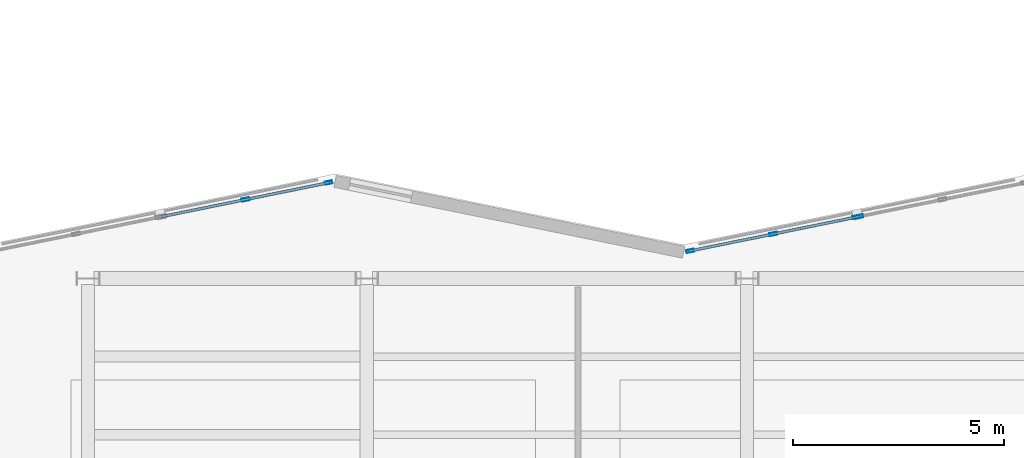
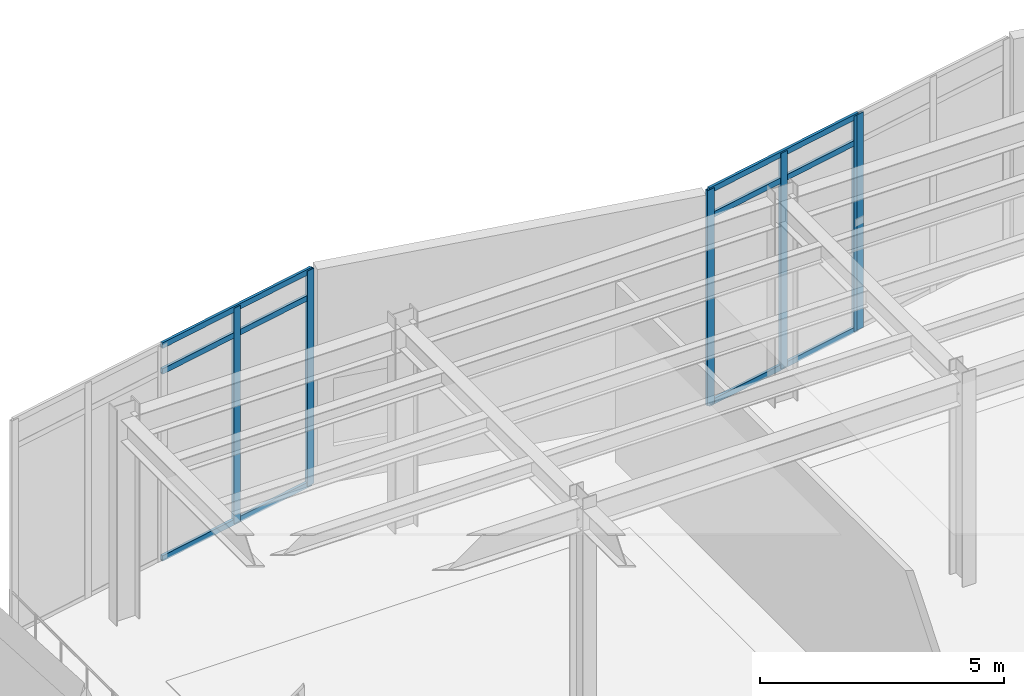
# One storey, part 60 of 98: 12 members, 3 elements without a shape of their own.
"""IFC4 building model written with IfcOpenShell, lengths in metres."""

from ifc_helpers import new_model, si_unit, direction, frame, origin, origin_2d, place, context, subcontext, project, spatial, hollow_rectangle, extrude, material, layer, layer_set, material_profile, profile_set, type_object, element, aggregate, save


model = new_model("IFC4")

# Units and contexts
model_context = context("Model", 3, precision=1e-05, world=origin(), true_north=direction((0.0, 1.0)))
body_context = subcontext(model_context, "Body", "Model", "MODEL_VIEW")
ifc_project = project(units=[si_unit("LENGTHUNIT", "METRE"), si_unit("AREAUNIT", "SQUARE_METRE"), si_unit("VOLUMEUNIT", "CUBIC_METRE"), si_unit("PLANEANGLEUNIT", "RADIAN"), si_unit("MASSUNIT", "GRAM", prefix="KILO")], contexts=[model_context])

# Site, building, storey
site_placement = place(None, origin())
site = spatial("IfcSite", under=ifc_project, at=site_placement, CompositionType="ELEMENT")
building_placement = place(site_placement, origin())
building = spatial("IfcBuilding", under=site, at=building_placement, Name="Sollismere Congress Hotel", CompositionType="ELEMENT")
storey_placement = place(building_placement, frame((0.0, 0.0, 5.39990234375)))
storey = spatial("IfcBuildingStorey", under=building, at=storey_placement, Name="L01", CompositionType="ELEMENT", Elevation=5.39990234375)

# Curtain wall, members
ifc_material_1 = material(Name="Anodized Bronze Curtain Wall & Low-E Triple Glazing", Category="glass")
ifc_layer = layer(ifc_material_1, 0.199951171875, Name="Anodized Bronze Curtain Wall & Low-E Triple Glazing")
ifc_layer_set = layer_set([ifc_layer], Name="Anodized Bronze Curtain Wall & Low-E Triple Glazing")
curtain_wall_type = type_object("IfcCurtainWallType", Name="CW-GLZ36", PredefinedType="USERDEFINED", material=ifc_layer_set)
curtain_wall_1_placement = place(storey_placement, origin())
curtain_wall_1 = element("IfcCurtainWall", 1, at=curtain_wall_1_placement, inside=storey, type_object=curtain_wall_type, Name="Unitised curtain wall CW-L01-082", ObjectType="UNITISED CURTAIN WALL", PredefinedType="USERDEFINED")
ifc_material_2 = material(Name="Anodized Aluminum 6063-T6", Category="aluminium")
ifc_material_profile_1 = material_profile(ifc_material_2, hollow_rectangle(XDim=0.074951171875, YDim=0.179931640625, WallThickness=0.0048828125, at=origin_2d()), Name="ALU180X75X5")
ifc_profile_set_1 = profile_set([ifc_material_profile_1], Name="Anodized Aluminum 6063-T6")
member_type_1 = type_object("IfcMemberType", Name="ML-CW180", PredefinedType="MULLION", material=ifc_profile_set_1)
member_1_placement = place(storey_placement, frame((64.128662109375, 104.266845703125, 0.0), z_axis=(0.0, 0.0, 1.0), x_axis=(-0.199367934417, 0.979924704621, 0.0)))
member_1 = element("IfcMember", 2, at=member_1_placement, type_object=member_type_1, Name="CWL-CW-L01-082-ML02", PredefinedType="MULLION", context=body_context, shape_type="SweptSolid", body=[
    extrude(hollow_rectangle(XDim=0.074951171875, YDim=0.179931640625, WallThickness=0.0048828125, at=origin_2d()), origin(), (0.0, 0.0, 1.0), 5.400146484375),
])
member_2_placement = place(storey_placement, frame((66.09521484375, 104.6669921875, 0.0), z_axis=(0.0, 0.0, 1.0), x_axis=(-0.199367934417, 0.979924704621, 0.0)))
member_2 = element("IfcMember", 3, at=member_2_placement, type_object=member_type_1, Name="CWL-CW-L01-082-ML03", PredefinedType="MULLION", context=body_context, shape_type="SweptSolid", body=[
    extrude(hollow_rectangle(XDim=0.074951171875, YDim=0.179931640625, WallThickness=0.0048828125, at=origin_2d()), origin(), (0.0, 0.0, 1.0), 5.400146484375),
])

curtain_wall_2_placement = place(storey_placement, origin())
curtain_wall_2 = element("IfcCurtainWall", 4, at=curtain_wall_2_placement, inside=storey, type_object=curtain_wall_type, Name="Unitised curtain wall CW-L01-083", ObjectType="UNITISED CURTAIN WALL", PredefinedType="USERDEFINED")
member_3_placement = place(storey_placement, frame((74.65478515625, 103.051513671875, 0.0), z_axis=(0.0, 0.0, 1.0), x_axis=(-0.199367934417, 0.979924704621, 0.0)))
member_3 = element("IfcMember", 5, at=member_3_placement, type_object=member_type_1, Name="CWL-CW-L01-083-ML01", PredefinedType="MULLION", context=body_context, shape_type="SweptSolid", body=[
    extrude(hollow_rectangle(XDim=0.074951171875, YDim=0.179931640625, WallThickness=0.0048828125, at=origin_2d()), origin(), (0.0, 0.0, 1.0), 5.400146484375),
])
member_4_placement = place(storey_placement, frame((76.621337890625, 103.45166015625, 0.0), z_axis=(0.0, 0.0, 1.0), x_axis=(-0.199367934417, 0.979924704621, 0.0)))
member_4 = element("IfcMember", 6, at=member_4_placement, type_object=member_type_1, Name="CWL-CW-L01-083-ML02", PredefinedType="MULLION", context=body_context, shape_type="SweptSolid", body=[
    extrude(hollow_rectangle(XDim=0.074951171875, YDim=0.179931640625, WallThickness=0.0048828125, at=origin_2d()), origin(), (0.0, 0.0, 1.0), 5.400146484375),
])
member_5_placement = place(storey_placement, frame((78.587890625, 103.851806640625, 0.0), z_axis=(0.0, 0.0, 1.0), x_axis=(-0.199367934417, 0.979924704621, 0.0)))
member_5 = element("IfcMember", 7, at=member_5_placement, type_object=member_type_1, Name="CWL-CW-L01-083-ML03", PredefinedType="MULLION", context=body_context, shape_type="SweptSolid", body=[
    extrude(hollow_rectangle(XDim=0.074951171875, YDim=0.179931640625, WallThickness=0.0048828125, at=origin_2d()), origin(), (0.0, 0.0, 1.0), 5.400146484375),
])

# Curtain wall, member
curtain_wall_3_placement = place(storey_placement, origin())
curtain_wall_3 = element("IfcCurtainWall", 8, at=curtain_wall_3_placement, inside=storey, type_object=curtain_wall_type, Name="Unitised curtain wall CW-L01-084", ObjectType="UNITISED CURTAIN WALL", PredefinedType="USERDEFINED")
member_6_placement = place(storey_placement, frame((78.662109375, 103.86669921875, 0.0), z_axis=(0.0, 0.0, 1.0), x_axis=(-0.199367934417, 0.979924704621, 0.0)))
member_6 = element("IfcMember", 9, at=member_6_placement, type_object=member_type_1, Name="CWL-CW-L01-084-ML01", PredefinedType="MULLION", context=body_context, shape_type="SweptSolid", body=[
    extrude(hollow_rectangle(XDim=0.074951171875, YDim=0.179931640625, WallThickness=0.0048828125, at=origin_2d()), origin(), (0.0, 0.0, 1.0), 5.400146484375),
])
aggregate(curtain_wall_3, [member_6])

# Member
ifc_material_profile_2 = material_profile(ifc_material_2, hollow_rectangle(XDim=0.06494140625, YDim=0.139892578125, WallThickness=0.00390625, at=origin_2d()), Name="ALU140X65X4")
ifc_profile_set_2 = profile_set([ifc_material_profile_2], Name="Anodized Aluminum 6063-T6")
member_type_2 = type_object("IfcMemberType", Name="TR-CW150", PredefinedType="MEMBER", material=ifc_profile_set_2)
member_7_placement = place(storey_placement, frame((62.125, 103.859375, 0.03271484375), z_axis=(0.979930139944, 0.199341217087, 0.0), x_axis=(-0.199341217087, 0.979930139944, 0.0)))
member_7 = element("IfcMember", 10, at=member_7_placement, type_object=member_type_2, Name="CWL-CW-L01-082-TR1", PredefinedType="MEMBER", context=body_context, shape_type="SweptSolid", body=[
    extrude(hollow_rectangle(XDim=0.06494140625, YDim=0.139892578125, WallThickness=0.00390625, at=origin_2d()), origin(), (0.0, 0.0, 1.0), 4.08935546875),
])

member_8_placement = place(storey_placement, frame((62.125, 103.859375, 4.72021484375), z_axis=(0.979930139944, 0.199341217087, 0.0), x_axis=(-0.199341217087, 0.979930139944, 0.0)))
member_8 = element("IfcMember", 11, at=member_8_placement, type_object=member_type_2, Name="CWL-CW-L01-082-TR2", PredefinedType="MEMBER", context=body_context, shape_type="SweptSolid", body=[
    extrude(hollow_rectangle(XDim=0.06494140625, YDim=0.139892578125, WallThickness=0.00390625, at=origin_2d()), origin(), (0.0, 0.0, 1.0), 4.08935546875),
])

member_9_placement = place(storey_placement, frame((62.125, 103.859375, 5.36767578125), z_axis=(0.979930139944, 0.199341217087, 0.0), x_axis=(-0.199341217087, 0.979930139944, 0.0)))
member_9 = element("IfcMember", 12, at=member_9_placement, type_object=member_type_2, Name="CWL-CW-L01-082-TR3", PredefinedType="MEMBER", context=body_context, shape_type="SweptSolid", body=[
    extrude(hollow_rectangle(XDim=0.06494140625, YDim=0.139892578125, WallThickness=0.00390625, at=origin_2d()), origin(), (0.0, 0.0, 1.0), 4.08935546875),
])

aggregate(curtain_wall_1, [member_1, member_2, member_7, member_8, member_9])

member_10_placement = place(storey_placement, frame((74.61767578125, 103.0439453125, 0.03271484375), z_axis=(0.979918476409, 0.199398544609, 0.0), x_axis=(-0.199398544609, 0.979918476409, 0.0)))
member_10 = element("IfcMember", 13, at=member_10_placement, type_object=member_type_2, Name="CWL-CW-L01-083-TR1", PredefinedType="MEMBER", context=body_context, shape_type="SweptSolid", body=[
    extrude(hollow_rectangle(XDim=0.06494140625, YDim=0.139892578125, WallThickness=0.00390625, at=origin_2d()), origin(), (0.0, 0.0, 1.0), 4.08935546875),
])

member_11_placement = place(storey_placement, frame((74.61767578125, 103.0439453125, 4.72021484375), z_axis=(0.979918476409, 0.199398544609, 0.0), x_axis=(-0.199398544609, 0.979918476409, 0.0)))
member_11 = element("IfcMember", 14, at=member_11_placement, type_object=member_type_2, Name="CWL-CW-L01-083-TR2", PredefinedType="MEMBER", context=body_context, shape_type="SweptSolid", body=[
    extrude(hollow_rectangle(XDim=0.06494140625, YDim=0.139892578125, WallThickness=0.00390625, at=origin_2d()), origin(), (0.0, 0.0, 1.0), 4.08935546875),
])

member_12_placement = place(storey_placement, frame((74.61767578125, 103.0439453125, 5.36767578125), z_axis=(0.979918476409, 0.199398544609, 0.0), x_axis=(-0.199398544609, 0.979918476409, 0.0)))
member_12 = element("IfcMember", 15, at=member_12_placement, type_object=member_type_2, Name="CWL-CW-L01-083-TR3", PredefinedType="MEMBER", context=body_context, shape_type="SweptSolid", body=[
    extrude(hollow_rectangle(XDim=0.06494140625, YDim=0.139892578125, WallThickness=0.00390625, at=origin_2d()), origin(), (0.0, 0.0, 1.0), 4.08935546875),
])

aggregate(curtain_wall_2, [member_3, member_4, member_5, member_10, member_11, member_12])

save(model, "model.ifc")
